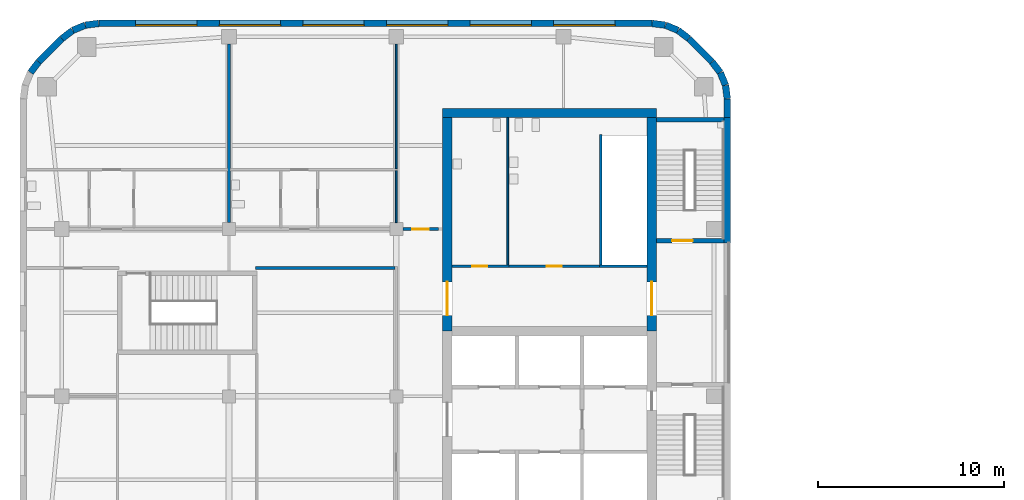
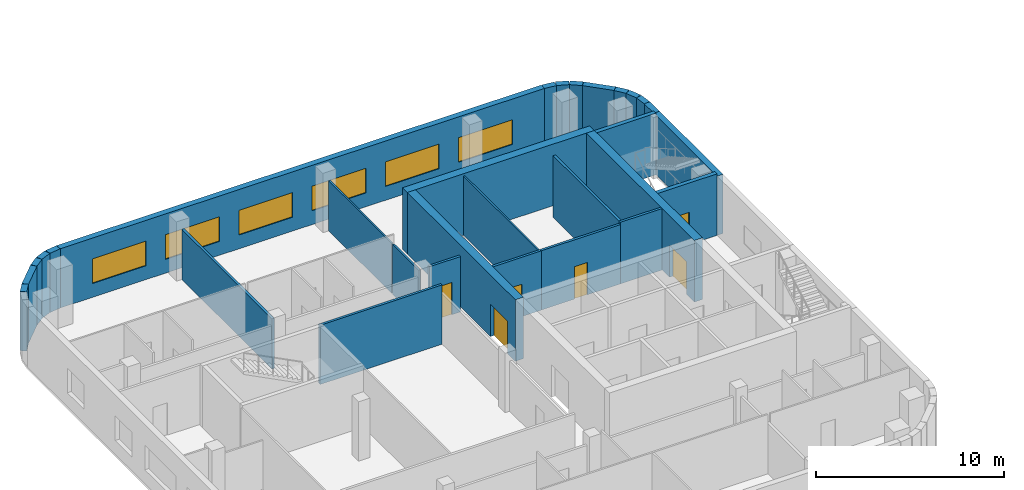
# One storey, part 7 of 15: 30 walls, 6 doors, 6 windows, 12 openings.
"""IFC4 building model written with IfcOpenShell, lengths in metres."""

import ifcopenshell
import ifcopenshell.guid

model = None  # the IFC model being written
_history = None  # IfcOwnerHistory: only IFC2X3 demands one
_inside = {}  # id of a spatial element -> (the spatial element, [elements in it])
_under = {}  # id of a project, library or spatial element -> (it, [spatial elements below it])
_declared = {}  # id of a project -> (the project, [libraries it declares])
_typed = {}  # id of a type object -> (the type object, [elements of that type])
_made_of = {}  # id of a material, layer set ... -> (it, [elements and type objects made of it])


def new_model(schema):
    """Start an empty IFC model of exactly this schema.

    Asked for "IFC4X3", IfcOpenShell would pick the latest addendum, in which some entities
    have other attributes; the version numbers below select the first issue.
    IFC2X3 requires an IfcOwnerHistory on every rooted entity: one is made here for all.
    """
    global model, _history
    if schema == "IFC4X3":
        model = ifcopenshell.file(schema_version=(4, 3, 0, 0))
    else:
        model = ifcopenshell.file(schema=schema)
    _inside.clear()
    _under.clear()
    _declared.clear()
    _typed.clear()
    _made_of.clear()
    _history = None
    if model.schema == "IFC2X3":
        org = make("IfcOrganization", Name="unknown")
        user = make(
            "IfcPersonAndOrganization",
            ThePerson=make("IfcPerson", FamilyName="unknown"),
            TheOrganization=org,
        )
        app = make(
            "IfcApplication",
            ApplicationDeveloper=org,
            Version="unknown",
            ApplicationFullName="unknown",
            ApplicationIdentifier="unknown",
        )
        _history = make(
            "IfcOwnerHistory",
            OwningUser=user,
            OwningApplication=app,
            ChangeAction="ADDED",
            CreationDate=0,
        )
    return model


def make(cls, **values):
    """One entity of the class cls with the attributes given. An attribute that is None is left unset."""
    return model.create_entity(
        cls, **{name: value for name, value in values.items() if value is not None}
    )


def rooted(cls, **values):
    """An entity with a GlobalId (a new one), such as an element, a storey or a relation."""
    return make(cls, GlobalId=ifcopenshell.guid.new(), OwnerHistory=_history, **values)


def si_unit(unit_type, name, prefix=None):
    """IfcSIUnit, for example si_unit("LENGTHUNIT", "METRE", prefix="MILLI")."""
    return make("IfcSIUnit", UnitType=unit_type, Prefix=prefix, Name=name)


def assignment(units):
    """IfcUnitAssignment: the units of a project."""
    return None if units is None else make("IfcUnitAssignment", Units=units)


def point(xyz):
    """IfcCartesianPoint."""
    return None if xyz is None else make("IfcCartesianPoint", Coordinates=xyz)


def direction(xyz):
    """IfcDirection."""
    return None if xyz is None else make("IfcDirection", DirectionRatios=xyz)


def frame(location, z_axis=None, x_axis=None):
    """IfcAxis2Placement3D, a coordinate frame: its origin and axes. An axis left out is left unset."""
    return make(
        "IfcAxis2Placement3D",
        Location=point(location),
        Axis=direction(z_axis),
        RefDirection=direction(x_axis),
    )


def frame_2d(location, x_axis=None):
    """IfcAxis2Placement2D, a coordinate frame in the plane: its origin and x axis."""
    return make(
        "IfcAxis2Placement2D", Location=point(location), RefDirection=direction(x_axis)
    )


def origin():
    """The frame at (0, 0, 0) with its axes left unset."""
    return frame((0.0, 0.0, 0.0))


def place(relative_to, where):
    """IfcLocalPlacement: puts the frame where relative to a parent placement (None: the world)."""
    return make(
        "IfcLocalPlacement", PlacementRelTo=relative_to, RelativePlacement=where
    )


def context(
    kind, dimensions, precision=None, world=None, true_north=None, identifier=None
):
    """IfcGeometricRepresentationContext, for example the 3D "Model" context."""
    return make(
        "IfcGeometricRepresentationContext",
        ContextIdentifier=identifier,
        ContextType=kind,
        CoordinateSpaceDimension=dimensions,
        Precision=precision,
        WorldCoordinateSystem=world,
        TrueNorth=true_north,
    )


def subcontext(parent, identifier, kind, view, scale=None):
    """IfcGeometricRepresentationSubContext, for example "Body" below "Model"."""
    return make(
        "IfcGeometricRepresentationSubContext",
        ContextIdentifier=identifier,
        ContextType=kind,
        ParentContext=parent,
        TargetScale=scale,
        TargetView=view,
    )


def project(units=None, contexts=None):
    """IfcProject with its units and contexts."""
    return rooted(
        "IfcProject",
        Name="project",
        RepresentationContexts=contexts,
        UnitsInContext=assignment(units),
    )


def spatial(cls, under=None, at=None, **own):
    """A site, building, storey or space (cls), placed at a placement, below another one or the project."""
    s = rooted(cls, ObjectPlacement=at, **own)
    if under is not None:
        _under.setdefault(under.id(), (under, []))[1].append(s)
    return s


def profile(cls, at=None, kind="AREA", **sizes):
    """A parametric profile (cls). Its sizes go by their IFC names, for example OverallWidth=200.0."""
    return make(cls, ProfileType=kind, Position=at, **sizes)


def rectangle(**sizes):
    """IfcRectangleProfileDef."""
    return profile("IfcRectangleProfileDef", **sizes)


def extrude(swept, where, along, depth):
    """IfcExtrudedAreaSolid: the profile swept, set in the frame where, extruded along a direction by depth."""
    return make(
        "IfcExtrudedAreaSolid",
        SweptArea=swept,
        Position=where,
        ExtrudedDirection=direction(along),
        Depth=depth,
    )


def shape(context_of_items, identifier, shape_type, items):
    """IfcShapeRepresentation: the items that make up one representation, for example the "Body"."""
    return make(
        "IfcShapeRepresentation",
        ContextOfItems=context_of_items,
        RepresentationIdentifier=identifier,
        RepresentationType=shape_type,
        Items=items,
    )


def material(Name=None, Category=None):
    """IfcMaterial."""
    return make("IfcMaterial", Name=Name, Category=Category)


def layer(
    of_material, thickness, ventilated=None, Name=None, Category=None, Priority=None
):
    """IfcMaterialLayer: one layer of a wall or slab, of a material (None: an air gap)."""
    return make(
        "IfcMaterialLayer",
        Material=of_material,
        LayerThickness=thickness,
        IsVentilated=ventilated,
        Name=Name,
        Category=Category,
        Priority=Priority,
    )


def layer_set(layers, Name=None):
    """IfcMaterialLayerSet."""
    return make("IfcMaterialLayerSet", MaterialLayers=layers, LayerSetName=Name)


def made_of(thing, what):
    """Note that an element or type object is made of a material, layer set ...; save() writes the relation."""
    if what is not None:
        _made_of.setdefault(what.id(), (what, []))[1].append(thing)
    return thing


def type_object(cls, material=None, **own):
    """A type object (cls), such as IfcWallType, which elements share."""
    return made_of(rooted(cls, **own), material)


def element(
    cls,
    number,
    at=None,
    inside=None,
    cuts=None,
    type_object=None,
    material=None,
    context=None,
    identifier="Body",
    shape_type=None,
    held_by="IfcProductDefinitionShape",
    body=None,
    shapes=None,
    **own,
):
    """One element of the class cls, such as IfcWall. Its Tag is "e" and its number.

    at: its placement. inside: the storey or other place that contains it. cuts: it is an
    opening in that element (IfcRelVoidsElement). A single representation is given by context,
    identifier, shape_type and body (its items); several are given by shapes. held_by: the class
    of the entity that holds the representations. save() writes the other relations.
    """
    e = rooted(cls, Tag="e%d" % number, ObjectPlacement=at, **own)
    if body is not None:
        shapes = [shape(context, identifier, shape_type, body)]
    if shapes is not None:
        e.Representation = make(held_by, Representations=shapes)
    if inside is not None:
        _inside.setdefault(inside.id(), (inside, []))[1].append(e)
    if cuts is not None:
        rooted(
            "IfcRelVoidsElement", RelatingBuildingElement=cuts, RelatedOpeningElement=e
        )
    if type_object is not None:
        _typed.setdefault(type_object.id(), (type_object, []))[1].append(e)
    return made_of(e, material)


def fill(opening, filler):
    """IfcRelFillsElement: the door or window that sits in an opening."""
    return rooted(
        "IfcRelFillsElement",
        RelatingOpeningElement=opening,
        RelatedBuildingElement=filler,
    )


def aggregate(whole, parts):
    """IfcRelAggregates: a whole, such as a stair, and the parts it consists of."""
    return rooted("IfcRelAggregates", RelatingObject=whole, RelatedObjects=parts)


def save(model, path):
    """Write the relations noted so far, then the file.

    IfcRelAggregates (storeys below a building ...), IfcRelContainedInSpatialStructure (elements
    in a storey), IfcRelDefinesByType, IfcRelAssociatesMaterial and IfcRelDeclares: one each for
    every whole, place, type object, material and project.
    """
    for whole, parts in _under.values():
        aggregate(whole, parts)
    for where, things in _inside.values():
        rooted(
            "IfcRelContainedInSpatialStructure",
            RelatedElements=things,
            RelatingStructure=where,
        )
    for kind, things in _typed.values():
        rooted("IfcRelDefinesByType", RelatedObjects=things, RelatingType=kind)
    for what, things in _made_of.values():
        rooted("IfcRelAssociatesMaterial", RelatedObjects=things, RelatingMaterial=what)
    for by, libraries in _declared.values():
        rooted("IfcRelDeclares", RelatingContext=by, RelatedDefinitions=libraries)
    model.write(path)


model = new_model("IFC4")

# Units and contexts
model_context = context("Model", 3, precision=1e-05, world=origin(), true_north=direction((0.0, 1.0)))
body_context = subcontext(model_context, "Body", "Model", "MODEL_VIEW")
ifc_project = project(units=[si_unit("LENGTHUNIT", "METRE"), si_unit("AREAUNIT", "SQUARE_METRE"), si_unit("VOLUMEUNIT", "CUBIC_METRE"), si_unit("PLANEANGLEUNIT", "RADIAN"), si_unit("MASSUNIT", "GRAM", prefix="KILO")], contexts=[model_context])

# Site, building, storey
site_placement = place(None, origin())
site = spatial("IfcSite", under=ifc_project, at=site_placement, CompositionType="ELEMENT")
building_placement = place(site_placement, origin())
building = spatial("IfcBuilding", under=site, at=building_placement, Name="Cinnabar Reach Civic Tower", CompositionType="ELEMENT")
storey_placement = place(building_placement, frame((0.0, 0.0, 63.0)))
storey = spatial("IfcBuildingStorey", under=building, at=storey_placement, Name="L14", CompositionType="ELEMENT", Elevation=63.0)

# Walls
ifc_material_1 = material(Name="Facing brick with insulated backing", Category="masonry")
ifc_layer_1 = layer(ifc_material_1, 0.36)
ifc_layer_set_1 = layer_set([ifc_layer_1], Name="Brick corner wall")
wall_type_1 = type_object("IfcWallType", Name="Brick corner wall", PredefinedType="STANDARD", material=ifc_layer_set_1)
for number, where, z_axis, x_axis, name in (
    (1, (-27.183, 43.0186, 0.0), (0.0, 0.0, 1.0), (-0.13055608231, 0.99144092581, 0.0), "Brick corner wall"),
    (2, (-27.2819, 43.7473, 0.0), (0.0, 0.0, 1.0), (-0.382702709855, 0.923871547278, 0.0), "Brick corner wall"),
):
    element("IfcWall", number, at=place(storey_placement, frame(where, z_axis=z_axis, x_axis=x_axis)), inside=storey, type_object=wall_type_1, Name=name, PredefinedType="STANDARD", context=body_context, shape_type="SweptSolid", body=[
        extrude(rectangle(XDim=0.7131, YDim=0.36, at=frame_2d((0.3565, 0.0))), origin(), (0.0, 0.0, 1.0), 3.85),
    ])
for number, where, z_axis, x_axis, name in (
    (3, (-27.566, 44.4255, 0.0), (0.0, 0.0, 1.0), (-0.608802368033, 0.793321924995, 0.0), "Brick corner wall"),
    (4, (-29.2587, 46.2498, 0.0), (0.0, 0.0, 1.0), (-0.793321924995, 0.608802368033, 0.0), "Brick corner wall"),
):
    element("IfcWall", number, at=place(storey_placement, frame(where, z_axis=z_axis, x_axis=x_axis)), inside=storey, type_object=wall_type_1, Name=name, PredefinedType="STANDARD", context=body_context, shape_type="SweptSolid", body=[
        extrude(rectangle(XDim=0.7132, YDim=0.36, at=frame_2d((0.3566, 0.0))), origin(), (0.0, 0.0, 1.0), 3.85),
    ])
for number, where, z_axis, x_axis, name in (
    (5, (-29.8439, 46.6952, 0.0), (0.0, 0.0, 1.0), (-0.923871547278, 0.382702709855, 0.0), "Brick corner wall"),
    (6, (-30.5244, 46.9739, 0.0), (0.0, 0.0, 1.0), (-0.99144092581, 0.13055608231, 0.0), "Brick corner wall"),
    (7, (-61.0186, 47.067, 0.0), (0.0, 0.0, 1.0), (-0.99144092581, -0.13055608231, 0.0), "Brick corner wall"),
    (8, (-61.7473, 46.9681, 0.0), (0.0, 0.0, 1.0), (-0.923871547278, -0.382702709855, 0.0), "Brick corner wall"),
):
    element("IfcWall", number, at=place(storey_placement, frame(where, z_axis=z_axis, x_axis=x_axis)), inside=storey, type_object=wall_type_1, Name=name, PredefinedType="STANDARD", context=body_context, shape_type="SweptSolid", body=[
        extrude(rectangle(XDim=0.7131, YDim=0.36, at=frame_2d((0.3565, 0.0))), origin(), (0.0, 0.0, 1.0), 3.85),
    ])
for number, where, z_axis, x_axis, name in (
    (9, (-62.4255, 46.684, 0.0), (0.0, 0.0, 1.0), (-0.793321924995, -0.608802368033, 0.0), "Brick corner wall"),
    (10, (-64.2498, 44.9913, 0.0), (0.0, 0.0, 1.0), (-0.608802368033, -0.793321924995, 0.0), "Brick corner wall"),
):
    element("IfcWall", number, at=place(storey_placement, frame(where, z_axis=z_axis, x_axis=x_axis)), inside=storey, type_object=wall_type_1, Name=name, PredefinedType="STANDARD", context=body_context, shape_type="SweptSolid", body=[
        extrude(rectangle(XDim=0.7132, YDim=0.36, at=frame_2d((0.3566, 0.0))), origin(), (0.0, 0.0, 1.0), 3.85),
    ])
ifc_layer_2 = layer(ifc_material_1, 0.36)
ifc_layer_set_2 = layer_set([ifc_layer_2], Name="Brick pier and spandrel wall")
wall_type_2 = type_object("IfcWallType", Name="Brick pier and spandrel wall", PredefinedType="STANDARD", material=ifc_layer_set_2)
wall_1_placement = place(storey_placement, frame((-27.18, 35.25, 0.0), z_axis=(0.0, 0.0, 1.0), x_axis=(0.0, 1.0, 0.0)))
element("IfcWall", 11, at=wall_1_placement, inside=storey, type_object=wall_type_2, Name="Brick facade wall", PredefinedType="STANDARD", context=body_context, shape_type="SweptSolid", body=[
    extrude(rectangle(XDim=6.75, YDim=0.36, at=frame_2d((3.375, 0.0))), origin(), (0.0, 0.0, 1.0), 3.85),
])
wall_2_placement = place(storey_placement, frame((-27.18, 42.0, 0.0), z_axis=(0.0, 0.0, 1.0), x_axis=(0.0, 1.0, 0.0)))
element("IfcWall", 12, at=wall_2_placement, inside=storey, type_object=wall_type_2, Name="Brick facade wall", PredefinedType="STANDARD", context=body_context, shape_type="SweptSolid", body=[
    extrude(rectangle(XDim=1.0074, YDim=0.36, at=frame_2d((0.5037, 0.0))), origin(), (0.0, 0.0, 1.0), 3.85),
])
wall_3_placement = place(storey_placement, frame((-28.006, 45.0014, 0.0), z_axis=(0.0, 0.0, 1.0), x_axis=(-0.707106781187, 0.707106781187, 0.0)))
element("IfcWall", 13, at=wall_3_placement, inside=storey, type_object=wall_type_2, Name="Brick facade wall", PredefinedType="STANDARD", context=body_context, shape_type="SweptSolid", body=[
    extrude(rectangle(XDim=1.7573, YDim=0.36, at=frame_2d((0.8787, 0.0))), origin(), (0.0, 0.0, 1.0), 3.85),
])

# Wall, openings, windows
wall_4_placement = place(storey_placement, frame((-31.2426, 47.07, 0.0), z_axis=(0.0, 0.0, 1.0), x_axis=(-1.0, 0.0, 0.0)))
wall_4 = element("IfcWall", 14, at=wall_4_placement, inside=storey, type_object=wall_type_2, Name="Brick facade wall", PredefinedType="STANDARD", context=body_context, shape_type="SweptSolid", body=[
    extrude(rectangle(XDim=29.7648, YDim=0.36, at=frame_2d((14.8824, 0.0))), origin(), (0.0, 0.0, 1.0), 3.85),
])
opening_1_placement = place(wall_4_placement, frame((1.9824, 0.0, 0.9)))
opening_1 = element("IfcOpeningElement", 15, at=opening_1_placement, cuts=wall_4, Name="Opening W2540", PredefinedType="OPENING", context=body_context, shape_type="SweptSolid", body=[
    extrude(rectangle(XDim=3.3, YDim=1.6, at=frame_2d((1.65, 0.8))), frame((0.0, 0.19, 0.0), z_axis=(0.0, -1.0, 0.0), x_axis=(1.0, 0.0, 0.0)), (0.0, 0.0, 1.0), 0.38),
])
opening_2_placement = place(wall_4_placement, frame((6.4824, 0.0, 0.9)))
opening_2 = element("IfcOpeningElement", 16, at=opening_2_placement, cuts=wall_4, Name="Opening W2541", PredefinedType="OPENING", context=body_context, shape_type="SweptSolid", body=[
    extrude(rectangle(XDim=3.3, YDim=1.6, at=frame_2d((1.65, 0.8))), frame((0.0, 0.19, 0.0), z_axis=(0.0, -1.0, 0.0), x_axis=(1.0, 0.0, 0.0)), (0.0, 0.0, 1.0), 0.38),
])
opening_3_placement = place(wall_4_placement, frame((10.9824, 0.0, 0.9)))
opening_3 = element("IfcOpeningElement", 17, at=opening_3_placement, cuts=wall_4, Name="Opening W2542", PredefinedType="OPENING", context=body_context, shape_type="SweptSolid", body=[
    extrude(rectangle(XDim=3.3, YDim=1.6, at=frame_2d((1.65, 0.8))), frame((0.0, 0.19, 0.0), z_axis=(0.0, -1.0, 0.0), x_axis=(1.0, 0.0, 0.0)), (0.0, 0.0, 1.0), 0.38),
])
opening_4_placement = place(wall_4_placement, frame((15.4824, 0.0, 0.9)))
opening_4 = element("IfcOpeningElement", 18, at=opening_4_placement, cuts=wall_4, Name="Opening W2543", PredefinedType="OPENING", context=body_context, shape_type="SweptSolid", body=[
    extrude(rectangle(XDim=3.3, YDim=1.6, at=frame_2d((1.65, 0.8))), frame((0.0, 0.19, 0.0), z_axis=(0.0, -1.0, 0.0), x_axis=(1.0, 0.0, 0.0)), (0.0, 0.0, 1.0), 0.38),
])
opening_5_placement = place(wall_4_placement, frame((19.9824, 0.0, 0.9)))
opening_5 = element("IfcOpeningElement", 19, at=opening_5_placement, cuts=wall_4, Name="Opening W2544", PredefinedType="OPENING", context=body_context, shape_type="SweptSolid", body=[
    extrude(rectangle(XDim=3.3, YDim=1.6, at=frame_2d((1.65, 0.8))), frame((0.0, 0.19, 0.0), z_axis=(0.0, -1.0, 0.0), x_axis=(1.0, 0.0, 0.0)), (0.0, 0.0, 1.0), 0.38),
])
opening_6_placement = place(wall_4_placement, frame((24.4824, 0.0, 0.9)))
opening_6 = element("IfcOpeningElement", 20, at=opening_6_placement, cuts=wall_4, Name="Opening W2545", PredefinedType="OPENING", context=body_context, shape_type="SweptSolid", body=[
    extrude(rectangle(XDim=3.3, YDim=1.6, at=frame_2d((1.65, 0.8))), frame((0.0, 0.19, 0.0), z_axis=(0.0, -1.0, 0.0), x_axis=(1.0, 0.0, 0.0)), (0.0, 0.0, 1.0), 0.38),
])
ifc_material_2 = material(Name="Clear double glazing in aluminium frame", Category="aluminium")
window_type = type_object("IfcWindowType", Name="Deep-set window A", PartitioningType="SINGLE_PANEL", PredefinedType="WINDOW", material=ifc_material_2)
window_1_placement = place(opening_1_placement, origin())
window_1 = element("IfcWindow", 21, at=window_1_placement, inside=storey, type_object=window_type, Name="Window north face", OverallHeight=1.6, OverallWidth=3.3, PartitioningType="SINGLE_PANEL", PredefinedType="WINDOW", context=body_context, shape_type="SweptSolid", body=[
    extrude(rectangle(XDim=3.3, YDim=1.6, at=frame_2d((1.65, 0.8))), frame((0.0, 0.13, 0.0), z_axis=(0.0, -1.0, 0.0), x_axis=(1.0, 0.0, 0.0)), (0.0, 0.0, 1.0), 0.06),
])
fill(opening_1, window_1)
window_2_placement = place(opening_2_placement, origin())
window_2 = element("IfcWindow", 22, at=window_2_placement, inside=storey, type_object=window_type, Name="Window north face", OverallHeight=1.6, OverallWidth=3.3, PartitioningType="SINGLE_PANEL", PredefinedType="WINDOW", context=body_context, shape_type="SweptSolid", body=[
    extrude(rectangle(XDim=3.3, YDim=1.6, at=frame_2d((1.65, 0.8))), frame((0.0, 0.13, 0.0), z_axis=(0.0, -1.0, 0.0), x_axis=(1.0, 0.0, 0.0)), (0.0, 0.0, 1.0), 0.06),
])
fill(opening_2, window_2)
window_3_placement = place(opening_3_placement, origin())
window_3 = element("IfcWindow", 23, at=window_3_placement, inside=storey, type_object=window_type, Name="Window north face", OverallHeight=1.6, OverallWidth=3.3, PartitioningType="SINGLE_PANEL", PredefinedType="WINDOW", context=body_context, shape_type="SweptSolid", body=[
    extrude(rectangle(XDim=3.3, YDim=1.6, at=frame_2d((1.65, 0.8))), frame((0.0, 0.13, 0.0), z_axis=(0.0, -1.0, 0.0), x_axis=(1.0, 0.0, 0.0)), (0.0, 0.0, 1.0), 0.06),
])
fill(opening_3, window_3)
window_4_placement = place(opening_4_placement, origin())
window_4 = element("IfcWindow", 24, at=window_4_placement, inside=storey, type_object=window_type, Name="Window north face", OverallHeight=1.6, OverallWidth=3.3, PartitioningType="SINGLE_PANEL", PredefinedType="WINDOW", context=body_context, shape_type="SweptSolid", body=[
    extrude(rectangle(XDim=3.3, YDim=1.6, at=frame_2d((1.65, 0.8))), frame((0.0, 0.13, 0.0), z_axis=(0.0, -1.0, 0.0), x_axis=(1.0, 0.0, 0.0)), (0.0, 0.0, 1.0), 0.06),
])
fill(opening_4, window_4)
window_5_placement = place(opening_5_placement, origin())
window_5 = element("IfcWindow", 25, at=window_5_placement, inside=storey, type_object=window_type, Name="Window north face", OverallHeight=1.6, OverallWidth=3.3, PartitioningType="SINGLE_PANEL", PredefinedType="WINDOW", context=body_context, shape_type="SweptSolid", body=[
    extrude(rectangle(XDim=3.3, YDim=1.6, at=frame_2d((1.65, 0.8))), frame((0.0, 0.13, 0.0), z_axis=(0.0, -1.0, 0.0), x_axis=(1.0, 0.0, 0.0)), (0.0, 0.0, 1.0), 0.06),
])
fill(opening_5, window_5)
window_6_placement = place(opening_6_placement, origin())
window_6 = element("IfcWindow", 26, at=window_6_placement, inside=storey, type_object=window_type, Name="Window north face", OverallHeight=1.6, OverallWidth=3.3, PartitioningType="SINGLE_PANEL", PredefinedType="WINDOW", context=body_context, shape_type="SweptSolid", body=[
    extrude(rectangle(XDim=3.3, YDim=1.6, at=frame_2d((1.65, 0.8))), frame((0.0, 0.13, 0.0), z_axis=(0.0, -1.0, 0.0), x_axis=(1.0, 0.0, 0.0)), (0.0, 0.0, 1.0), 0.06),
])
fill(opening_6, window_6)

# Walls
wall_5_placement = place(storey_placement, frame((-63.0014, 46.244, 0.0), z_axis=(0.0, 0.0, 1.0), x_axis=(-0.707106781187, -0.707106781187, 0.0)))
element("IfcWall", 27, at=wall_5_placement, inside=storey, type_object=wall_type_2, Name="Brick facade wall", PredefinedType="STANDARD", context=body_context, shape_type="SweptSolid", body=[
    extrude(rectangle(XDim=1.7573, YDim=0.36, at=frame_2d((0.8787, 0.0))), origin(), (0.0, 0.0, 1.0), 3.85),
])
ifc_material_3 = material(Name="Concrete C60", Category="concrete")
ifc_layer_3 = layer(ifc_material_3, 0.5)
ifc_layer_set_3 = layer_set([ifc_layer_3], Name="Core wall 500 EI 180")
wall_type_3 = type_object("IfcWallType", Name="Core wall 500 EI 180", PredefinedType="SOLIDWALL", material=ifc_layer_set_3)
wall_6_placement = place(storey_placement, frame((-31.0, 42.25, 0.0), z_axis=(0.0, 0.0, 1.0), x_axis=(-1.0, 0.0, 0.0)))
element("IfcWall", 28, at=wall_6_placement, inside=storey, type_object=wall_type_3, Name="Core wall T2 L14 N", PredefinedType="SOLIDWALL", context=body_context, shape_type="SweptSolid", body=[
    extrude(rectangle(XDim=11.5, YDim=0.5, at=frame_2d((5.75, 0.0))), origin(), (0.0, 0.0, 1.0), 4.0),
])

# Wall, opening, door
wall_7_placement = place(storey_placement, frame((-31.25, 30.5, 0.0), z_axis=(0.0, 0.0, 1.0), x_axis=(0.0, 1.0, 0.0)))
wall_7 = element("IfcWall", 29, at=wall_7_placement, inside=storey, type_object=wall_type_3, Name="Core wall T2 L14 E2", PredefinedType="SOLIDWALL", context=body_context, shape_type="SweptSolid", body=[
    extrude(rectangle(XDim=11.5, YDim=0.5, at=frame_2d((5.75, 0.0))), origin(), (0.0, 0.0, 1.0), 4.0),
])
opening_7_placement = place(wall_7_placement, frame((0.85, 0.0, 0.0)))
opening_7 = element("IfcOpeningElement", 30, at=opening_7_placement, cuts=wall_7, Name="Opening D6531", PredefinedType="OPENING", context=body_context, shape_type="SweptSolid", body=[
    extrude(rectangle(XDim=1.8, YDim=2.1, at=frame_2d((0.9, 1.05))), frame((0.0, 0.26, 0.0), z_axis=(0.0, -1.0, 0.0), x_axis=(1.0, 0.0, 0.0)), (0.0, 0.0, 1.0), 0.52),
])
ifc_material_4 = material(Name="Steel fire door", Category="steel")
door_type_1 = type_object("IfcDoorType", Name="T2 Double door 1800", OperationType="DOUBLE_DOOR_SINGLE_SWING", PredefinedType="DOOR", material=ifc_material_4)
door_1_placement = place(opening_7_placement, origin())
door_1 = element("IfcDoor", 31, at=door_1_placement, inside=storey, type_object=door_type_1, Name="T2 Double door D6531", OperationType="DOUBLE_DOOR_SINGLE_SWING", OverallHeight=2.1, OverallWidth=1.8, PredefinedType="DOOR", context=body_context, shape_type="SweptSolid", body=[
    extrude(rectangle(XDim=1.8, YDim=2.1, at=frame_2d((0.9, 1.05))), frame((0.0, 0.025, 0.0), z_axis=(0.0, -1.0, 0.0), x_axis=(1.0, 0.0, 0.0)), (0.0, 0.0, 1.0), 0.05),
])
fill(opening_7, door_1)

wall_8_placement = place(storey_placement, frame((-42.25, 42.0, 0.0), z_axis=(0.0, 0.0, 1.0), x_axis=(0.0, -1.0, 0.0)))
wall_8 = element("IfcWall", 32, at=wall_8_placement, inside=storey, type_object=wall_type_3, Name="Core wall T2 L14 W", PredefinedType="SOLIDWALL", context=body_context, shape_type="SweptSolid", body=[
    extrude(rectangle(XDim=11.5, YDim=0.5, at=frame_2d((5.75, 0.0))), origin(), (0.0, 0.0, 1.0), 4.0),
])
opening_8_placement = place(wall_8_placement, frame((8.85, 0.0, 0.0)))
opening_8 = element("IfcOpeningElement", 33, at=opening_8_placement, cuts=wall_8, Name="Opening D6533", PredefinedType="OPENING", context=body_context, shape_type="SweptSolid", body=[
    extrude(rectangle(XDim=1.8, YDim=2.1, at=frame_2d((0.9, 1.05))), frame((0.0, 0.26, 0.0), z_axis=(0.0, -1.0, 0.0), x_axis=(1.0, 0.0, 0.0)), (0.0, 0.0, 1.0), 0.52),
])
door_2_placement = place(opening_8_placement, frame((1.8, 0.0, 0.0), z_axis=(0.0, 0.0, 1.0), x_axis=(-1.0, 0.0, 0.0)))
door_2 = element("IfcDoor", 34, at=door_2_placement, inside=storey, type_object=door_type_1, Name="T2 Double door D6533", OperationType="DOUBLE_DOOR_SINGLE_SWING", OverallHeight=2.1, OverallWidth=1.8, PredefinedType="DOOR", context=body_context, shape_type="SweptSolid", body=[
    extrude(rectangle(XDim=1.8, YDim=2.1, at=frame_2d((0.9, 1.05))), frame((0.0, 0.025, 0.0), z_axis=(0.0, -1.0, 0.0), x_axis=(1.0, 0.0, 0.0)), (0.0, 0.0, 1.0), 0.05),
])
fill(opening_8, door_2)

ifc_material_5 = material(Name="Gypsum board on steel studs, double layer", Category="steel")
ifc_layer_4 = layer(ifc_material_5, 0.15)
ifc_layer_set_4 = layer_set([ifc_layer_4], Name="Corridor wall 150 T2")
wall_type_4 = type_object("IfcWallType", Name="Corridor wall 150 T2", PredefinedType="PARTITIONING", material=ifc_layer_set_4)
wall_9_placement = place(storey_placement, frame((-44.65, 36.0, 0.0), z_axis=(0.0, 0.0, 1.0), x_axis=(1.0, 0.0, 0.0)))
wall_9 = element("IfcWall", 35, at=wall_9_placement, inside=storey, type_object=wall_type_4, Name="Corridor wall 5", PredefinedType="PARTITIONING", context=body_context, shape_type="SweptSolid", body=[
    extrude(rectangle(XDim=1.925, YDim=0.15, at=frame_2d((0.9625, 0.0))), origin(), (0.0, 0.0, 1.0), 3.602),
])
opening_9_placement = place(wall_9_placement, frame((0.5, 0.0, 0.0)))
opening_9 = element("IfcOpeningElement", 36, at=opening_9_placement, cuts=wall_9, Name="Opening D6536", PredefinedType="OPENING", context=body_context, shape_type="SweptSolid", body=[
    extrude(rectangle(XDim=0.9, YDim=2.1, at=frame_2d((0.45, 1.05))), frame((0.0, 0.085, 0.0), z_axis=(0.0, -1.0, 0.0), x_axis=(1.0, 0.0, 0.0)), (0.0, 0.0, 1.0), 0.17),
])
ifc_material_6 = material(Name="Timber door leaf in steel frame", Category="steel")
door_type_2 = type_object("IfcDoorType", Name="Single swing door 900 x 2100 T2", OperationType="SINGLE_SWING_LEFT", PredefinedType="DOOR", material=ifc_material_6)
door_3_placement = place(opening_9_placement, origin())
door_3 = element("IfcDoor", 37, at=door_3_placement, inside=storey, type_object=door_type_2, Name="Door D6536", OperationType="SINGLE_SWING_LEFT", OverallHeight=2.1, OverallWidth=0.9, PredefinedType="DOOR", context=body_context, shape_type="SweptSolid", body=[
    extrude(rectangle(XDim=0.9, YDim=2.1, at=frame_2d((0.45, 1.05))), frame((0.0, 0.025, 0.0), z_axis=(0.0, -1.0, 0.0), x_axis=(1.0, 0.0, 0.0)), (0.0, 0.0, 1.0), 0.05),
])
fill(opening_9, door_3)

# Walls
wall_10_placement = place(storey_placement, frame((-52.575, 33.9, 0.0), z_axis=(0.0, 0.0, 1.0), x_axis=(1.0, 0.0, 0.0)))
element("IfcWall", 38, at=wall_10_placement, inside=storey, type_object=wall_type_4, Name="Corridor wall 12", PredefinedType="PARTITIONING", context=body_context, shape_type="SweptSolid", body=[
    extrude(rectangle(XDim=7.5, YDim=0.15, at=frame_2d((3.75, 0.0))), origin(), (0.0, 0.0, 1.0), 3.85),
])
ifc_material_7 = material(Name="Gypsum board on steel studs", Category="steel")
ifc_layer_5 = layer(ifc_material_7, 0.1)
ifc_layer_set_5 = layer_set([ifc_layer_5], Name="Partition wall 100 T2")
wall_type_5 = type_object("IfcWallType", Name="Partition wall 100 T2", PredefinedType="PARTITIONING", material=ifc_layer_set_5)
wall_11_placement = place(storey_placement, frame((-45.0, 39.25, 0.0), z_axis=(0.0, 0.0, 1.0), x_axis=(0.0, 1.0, 0.0)))
element("IfcWall", 39, at=wall_11_placement, inside=storey, type_object=wall_type_5, Name="Partition wall 20", PredefinedType="PARTITIONING", context=body_context, shape_type="SweptSolid", body=[
    extrude(rectangle(XDim=6.7, YDim=0.1, at=frame_2d((3.35, 0.0))), origin(), (0.0, 0.0, 1.0), 3.256),
])
wall_12_placement = place(storey_placement, frame((-45.0, 36.35, 0.0), z_axis=(0.0, 0.0, 1.0), x_axis=(0.0, 1.0, 0.0)))
element("IfcWall", 40, at=wall_12_placement, inside=storey, type_object=wall_type_5, Name="Partition wall 21", PredefinedType="PARTITIONING", context=body_context, shape_type="SweptSolid", body=[
    extrude(rectangle(XDim=2.8, YDim=0.1, at=frame_2d((1.4, 0.0))), origin(), (0.0, 0.0, 1.0), 3.256),
])

# Wall, opening, door
ifc_layer_6 = layer(ifc_material_3, 0.25)
ifc_layer_set_6 = layer_set([ifc_layer_6], Name="Stair shaft wall 250 EI 120")
wall_type_6 = type_object("IfcWallType", Name="Stair shaft wall 250 EI 120", PredefinedType="SOLIDWALL", material=ifc_layer_set_6)
wall_13_placement = place(storey_placement, frame((-31.0, 35.375, 0.0), z_axis=(0.0, 0.0, 1.0), x_axis=(1.0, 0.0, 0.0)))
wall_13 = element("IfcWall", 41, at=wall_13_placement, inside=storey, type_object=wall_type_6, Name="Stair shaft wall T2-S2 L14", PredefinedType="SOLIDWALL", context=body_context, shape_type="SweptSolid", body=[
    extrude(rectangle(XDim=3.64, YDim=0.25, at=frame_2d((1.82, 0.0))), origin(), (0.0, 0.0, 1.0), 4.0),
])
opening_10_placement = place(wall_13_placement, frame((0.85, 0.0, 0.0)))
opening_10 = element("IfcOpeningElement", 42, at=opening_10_placement, cuts=wall_13, Name="Opening D6530", PredefinedType="OPENING", context=body_context, shape_type="SweptSolid", body=[
    extrude(rectangle(XDim=1.1, YDim=2.1, at=frame_2d((0.55, 1.05))), frame((0.0, 0.135, 0.0), z_axis=(0.0, -1.0, 0.0), x_axis=(1.0, 0.0, 0.0)), (0.0, 0.0, 1.0), 0.27),
])
door_type_3 = type_object("IfcDoorType", Name="T2 Stair door 1100", OperationType="SINGLE_SWING_LEFT", PredefinedType="DOOR", material=ifc_material_4)
door_4_placement = place(opening_10_placement, origin())
door_4 = element("IfcDoor", 43, at=door_4_placement, inside=storey, type_object=door_type_3, Name="T2 Stair door D6530", OperationType="SINGLE_SWING_LEFT", OverallHeight=2.1, OverallWidth=1.1, PredefinedType="DOOR", context=body_context, shape_type="SweptSolid", body=[
    extrude(rectangle(XDim=1.1, YDim=2.1, at=frame_2d((0.55, 1.05))), frame((0.0, 0.025, 0.0), z_axis=(0.0, -1.0, 0.0), x_axis=(1.0, 0.0, 0.0)), (0.0, 0.0, 1.0), 0.05),
])
fill(opening_10, door_4)

# Wall
wall_14_placement = place(storey_placement, frame((-27.36, 41.875, 0.0), z_axis=(0.0, 0.0, 1.0), x_axis=(-1.0, 0.0, 0.0)))
element("IfcWall", 44, at=wall_14_placement, inside=storey, type_object=wall_type_6, Name="Stair shaft wall T2-S2 L14", PredefinedType="SOLIDWALL", context=body_context, shape_type="SweptSolid", body=[
    extrude(rectangle(XDim=3.64, YDim=0.25, at=frame_2d((1.82, 0.0))), origin(), (0.0, 0.0, 1.0), 4.0),
])

# Wall, opening, door
ifc_material_8 = material(Name="Masonry block partition", Category="masonry")
ifc_layer_7 = layer(ifc_material_8, 0.15)
ifc_layer_set_7 = layer_set([ifc_layer_7], Name="T2 Corridor wall 150")
wall_type_7 = type_object("IfcWallType", Name="T2 Corridor wall 150", PredefinedType="PARTITIONING", material=ifc_layer_set_7)
wall_15_placement = place(storey_placement, frame((-38.925, 34.0, 0.0), z_axis=(0.0, 0.0, 1.0), x_axis=(-1.0, 0.0, 0.0)))
wall_15 = element("IfcWall", 45, at=wall_15_placement, inside=storey, type_object=wall_type_7, Name="T2 Corridor wall L14 014", PredefinedType="PARTITIONING", context=body_context, shape_type="SweptSolid", body=[
    extrude(rectangle(XDim=3.075, YDim=0.15, at=frame_2d((1.5375, 0.0))), origin(), (0.0, 0.0, 1.0), 3.85),
])
opening_11_placement = place(wall_15_placement, frame((1.175, 0.0, 0.0)))
opening_11 = element("IfcOpeningElement", 46, at=opening_11_placement, cuts=wall_15, Name="Opening D6534", PredefinedType="OPENING", context=body_context, shape_type="SweptSolid", body=[
    extrude(rectangle(XDim=0.8, YDim=2.1, at=frame_2d((0.4, 1.05))), frame((0.0, 0.085, 0.0), z_axis=(0.0, -1.0, 0.0), x_axis=(1.0, 0.0, 0.0)), (0.0, 0.0, 1.0), 0.17),
])
ifc_material_9 = material(Name="Timber door leaf", Category="wood")
door_type_4 = type_object("IfcDoorType", Name="T2 Bathroom door 800", OperationType="SINGLE_SWING_LEFT", PredefinedType="DOOR", material=ifc_material_9)
door_5_placement = place(opening_11_placement, frame((0.8, 0.0, 0.0), z_axis=(0.0, 0.0, 1.0), x_axis=(-1.0, 0.0, 0.0)))
door_5 = element("IfcDoor", 47, at=door_5_placement, inside=storey, type_object=door_type_4, Name="T2 Bathroom door D6534", OperationType="SINGLE_SWING_RIGHT", OverallHeight=2.1, OverallWidth=0.8, PredefinedType="DOOR", context=body_context, shape_type="SweptSolid", body=[
    extrude(rectangle(XDim=0.8, YDim=2.1, at=frame_2d((0.4, 1.05))), frame((0.0, 0.025, 0.0), z_axis=(0.0, -1.0, 0.0), x_axis=(1.0, 0.0, 0.0)), (0.0, 0.0, 1.0), 0.05),
])
fill(opening_11, door_5)

wall_16_placement = place(storey_placement, frame((-34.075, 34.0, 0.0), z_axis=(0.0, 0.0, 1.0), x_axis=(-1.0, 0.0, 0.0)))
wall_16 = element("IfcWall", 48, at=wall_16_placement, inside=storey, type_object=wall_type_7, Name="T2 Corridor wall L14 015", PredefinedType="PARTITIONING", context=body_context, shape_type="SweptSolid", body=[
    extrude(rectangle(XDim=4.85, YDim=0.15, at=frame_2d((2.425, 0.0))), origin(), (0.0, 0.0, 1.0), 3.85),
])
opening_12_placement = place(wall_16_placement, frame((2.025, 0.0, 0.0)))
opening_12 = element("IfcOpeningElement", 49, at=opening_12_placement, cuts=wall_16, Name="Opening D6535", PredefinedType="OPENING", context=body_context, shape_type="SweptSolid", body=[
    extrude(rectangle(XDim=0.8, YDim=2.1, at=frame_2d((0.4, 1.05))), frame((0.0, 0.085, 0.0), z_axis=(0.0, -1.0, 0.0), x_axis=(1.0, 0.0, 0.0)), (0.0, 0.0, 1.0), 0.17),
])
door_6_placement = place(opening_12_placement, frame((0.8, 0.0, 0.0), z_axis=(0.0, 0.0, 1.0), x_axis=(-1.0, 0.0, 0.0)))
door_6 = element("IfcDoor", 50, at=door_6_placement, inside=storey, type_object=door_type_4, Name="T2 Bathroom door D6535", OperationType="SINGLE_SWING_RIGHT", OverallHeight=2.1, OverallWidth=0.8, PredefinedType="DOOR", context=body_context, shape_type="SweptSolid", body=[
    extrude(rectangle(XDim=0.8, YDim=2.1, at=frame_2d((0.4, 1.05))), frame((0.0, 0.025, 0.0), z_axis=(0.0, -1.0, 0.0), x_axis=(1.0, 0.0, 0.0)), (0.0, 0.0, 1.0), 0.05),
])
fill(opening_12, door_6)

# Walls
ifc_material_10 = material(Name="Gypsum board partition")
ifc_layer_8 = layer(ifc_material_10, 0.1)
ifc_layer_set_8 = layer_set([ifc_layer_8], Name="T2 Internal partition 100")
wall_type_8 = type_object("IfcWallType", Name="T2 Internal partition 100", PredefinedType="PARTITIONING", material=ifc_layer_set_8)
wall_17_placement = place(storey_placement, frame((-39.0, 34.075, 0.0), z_axis=(0.0, 0.0, 1.0), x_axis=(0.0, 1.0, 0.0)))
element("IfcWall", 51, at=wall_17_placement, inside=storey, type_object=wall_type_8, Name="T2 Internal partition L14 016", PredefinedType="PARTITIONING", context=body_context, shape_type="SweptSolid", body=[
    extrude(rectangle(XDim=7.925, YDim=0.1, at=frame_2d((3.9625, 0.0))), origin(), (0.0, 0.0, 1.0), 3.85),
])
ifc_material_11 = material(Name="Concrete C40", Category="concrete")
ifc_layer_9 = layer(ifc_material_11, 0.15)
ifc_layer_set_9 = layer_set([ifc_layer_9], Name="T2 Riser wall 150")
wall_type_9 = type_object("IfcWallType", Name="T2 Riser wall 150", PredefinedType="SOLIDWALL", material=ifc_layer_set_9)
wall_18_placement = place(storey_placement, frame((-34.075, 34.0, 0.0), z_axis=(0.0, 0.0, 1.0), x_axis=(1.0, 0.0, 0.0)))
element("IfcWall", 52, at=wall_18_placement, inside=storey, type_object=wall_type_9, Name="T2 Riser wall L14 012", PredefinedType="SOLIDWALL", context=body_context, shape_type="SweptSolid", body=[
    extrude(rectangle(XDim=2.575, YDim=0.15, at=frame_2d((1.2875, 0.0))), origin(), (0.0, 0.0, 1.0), 4.0),
])
wall_19_placement = place(storey_placement, frame((-34.0, 41.075, 0.0), z_axis=(0.0, 0.0, 1.0), x_axis=(0.0, -1.0, 0.0)))
element("IfcWall", 53, at=wall_19_placement, inside=storey, type_object=wall_type_9, Name="T2 Riser wall L14 013", PredefinedType="SOLIDWALL", context=body_context, shape_type="SweptSolid", body=[
    extrude(rectangle(XDim=7.0, YDim=0.15, at=frame_2d((3.5, 0.0))), origin(), (0.0, 0.0, 1.0), 4.0),
])
ifc_layer_10 = layer(ifc_material_5, 0.15)
ifc_layer_set_10 = layer_set([ifc_layer_10], Name="Tenancy separating wall 150 T2")
wall_type_10 = type_object("IfcWallType", Name="Tenancy separating wall 150 T2", PredefinedType="PARTITIONING", material=ifc_layer_set_10)
wall_20_placement = place(storey_placement, frame((-54.0, 36.35, 0.0), z_axis=(0.0, 0.0, 1.0), x_axis=(0.0, 1.0, 0.0)))
element("IfcWall", 54, at=wall_20_placement, inside=storey, type_object=wall_type_10, Name="Tenancy separating wall 14", PredefinedType="PARTITIONING", context=body_context, shape_type="SweptSolid", body=[
    extrude(rectangle(XDim=9.6, YDim=0.15, at=frame_2d((4.8, 0.0))), origin(), (0.0, 0.0, 1.0), 3.256),
])

save(model, "model.ifc")
